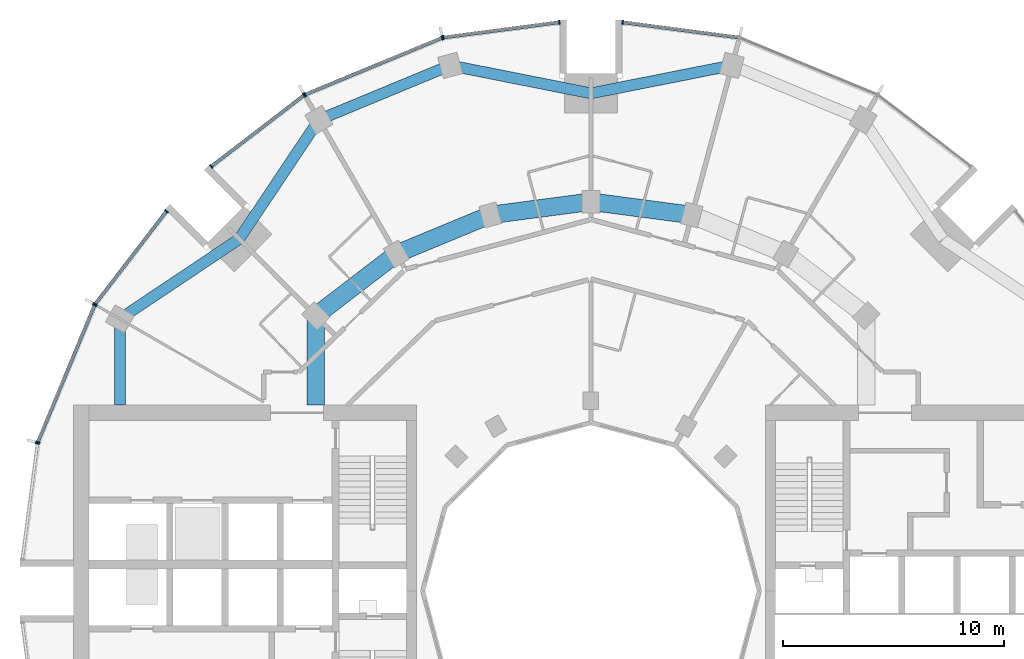
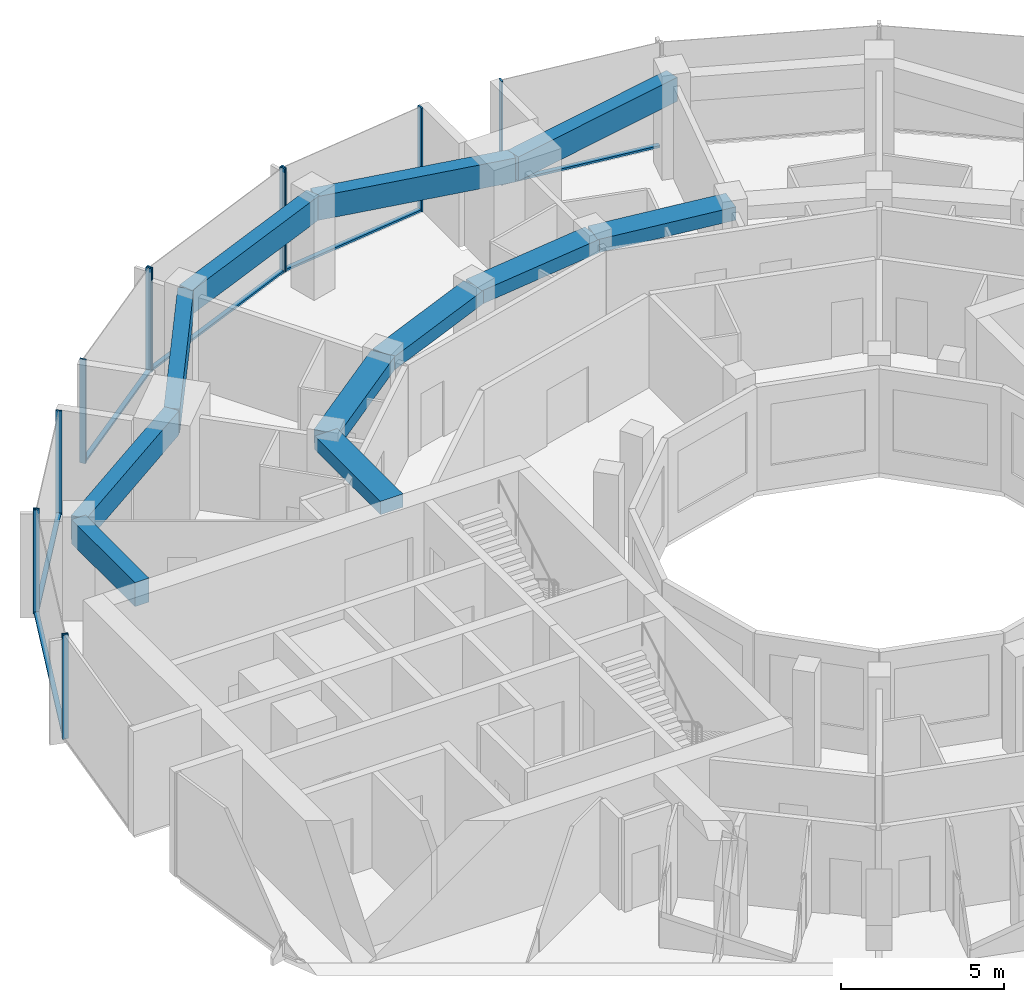
# One storey, part 5 of 15: 18 members, 11 beams, 7 elements without a shape of their own.
"""IFC4 building model written with IfcOpenShell, lengths in metres."""

from ifc_helpers import new_model, si_unit, direction, frame, origin, origin_2d, place, context, subcontext, project, spatial, rectangle, extrude, material, layer, layer_set, material_profile, profile_set, type_object, element, aggregate, save


model = new_model("IFC4")

# Units and contexts
model_context = context("Model", 3, precision=1e-05, world=origin(), true_north=direction((0.0, 1.0)))
body_context = subcontext(model_context, "Body", "Model", "MODEL_VIEW")
ifc_project = project(units=[si_unit("LENGTHUNIT", "METRE"), si_unit("AREAUNIT", "SQUARE_METRE"), si_unit("VOLUMEUNIT", "CUBIC_METRE"), si_unit("PLANEANGLEUNIT", "RADIAN"), si_unit("MASSUNIT", "GRAM", prefix="KILO")], contexts=[model_context])

# Site, building, storey
site_placement = place(None, origin())
site = spatial("IfcSite", under=ifc_project, at=site_placement, CompositionType="ELEMENT")
building_placement = place(site_placement, origin())
building = spatial("IfcBuilding", under=site, at=building_placement, Name="Torre Brocal", CompositionType="ELEMENT")
storey_placement = place(building_placement, frame((0.0, 0.0, 122.39990234375)))
storey = spatial("IfcBuildingStorey", under=building, at=storey_placement, Name="L28", CompositionType="ELEMENT", Elevation=122.39990234375)

# Curtain wall, member
ifc_material_1 = material(Name="Aluminium and glass", Category="aluminium")
ifc_layer_1 = layer(ifc_material_1, 0.199951171875)
ifc_layer_set_1 = layer_set([ifc_layer_1], Name="Aluminium and glass")
curtain_wall_type_1 = type_object("IfcCurtainWallType", Name="CW-1 CURTAIN WALL 3900 HIGH", PredefinedType="NOTDEFINED", material=ifc_layer_set_1)
curtain_wall_1_placement = place(storey_placement, origin())
curtain_wall_1 = element("IfcCurtainWall", 1, at=curtain_wall_1_placement, inside=storey, type_object=curtain_wall_type_1, Name="CW-1 RUN 6", PredefinedType="NOTDEFINED")
ifc_material_2 = material(Name="Aluminium, dark anodised", Category="aluminium")
ifc_material_profile_1 = material_profile(ifc_material_2, rectangle(XDim=0.199951171875, YDim=0.06005859375, at=origin_2d()), Name="CW-1 MULLION 60X200")
ifc_profile_set_1 = profile_set([ifc_material_profile_1], Name="Aluminium, dark anodised")
member_type_1 = type_object("IfcMemberType", Name="CW-1 MULLION 60X200", PredefinedType="MULLION", material=ifc_profile_set_1)
member_1_placement = place(storey_placement, frame((81.4296875, 100.7109375, 0.0), z_axis=(0.0, 0.0, 1.0), x_axis=(-0.13052619222, -0.991444861374, 0.0)))
member_1 = element("IfcMember", 2, at=member_1_placement, type_object=member_type_1, Name="CW1-3 mullion 2", PredefinedType="MULLION", context=body_context, shape_type="SweptSolid", body=[
    extrude(rectangle(XDim=0.199951171875, YDim=0.06005859375, at=origin_2d()), origin(), (0.0, 0.0, 1.0), 3.900146484375),
])

# Curtain wall, members
curtain_wall_2_placement = place(storey_placement, origin())
curtain_wall_2 = element("IfcCurtainWall", 3, at=curtain_wall_2_placement, inside=storey, type_object=curtain_wall_type_1, Name="CW-1 RUN 7", PredefinedType="NOTDEFINED")
member_2_placement = place(storey_placement, frame((78.5703125, 100.7109375, 0.0), z_axis=(0.0, 0.0, 1.0), x_axis=(0.13052619222, -0.991444861374, 0.0)))
member_2 = element("IfcMember", 4, at=member_2_placement, type_object=member_type_1, Name="CW1-3 mullion 1", PredefinedType="MULLION", context=body_context, shape_type="SweptSolid", body=[
    extrude(rectangle(XDim=0.199951171875, YDim=0.06005859375, at=origin_2d()), origin(), (0.0, 0.0, 1.0), 3.900146484375),
])
member_3_placement = place(storey_placement, frame((73.32666015625, 100.0205078125, 0.0), z_axis=(0.0, 0.0, 1.0), x_axis=(0.13052619222, -0.991444861374, 0.0)))
member_3 = element("IfcMember", 5, at=member_3_placement, type_object=member_type_1, Name="CW1-3 mullion 2", PredefinedType="MULLION", context=body_context, shape_type="SweptSolid", body=[
    extrude(rectangle(XDim=0.199951171875, YDim=0.06005859375, at=origin_2d()), origin(), (0.0, 0.0, 1.0), 3.900146484375),
])

curtain_wall_3_placement = place(storey_placement, origin())
curtain_wall_3 = element("IfcCurtainWall", 6, at=curtain_wall_3_placement, inside=storey, type_object=curtain_wall_type_1, Name="CW-1 RUN 8", PredefinedType="NOTDEFINED")
member_4_placement = place(storey_placement, frame((73.26904296875, 100.005126953125, 0.0), z_axis=(0.0, 0.0, 1.0), x_axis=(0.382683432333, -0.923879532525, 0.0)))
member_4 = element("IfcMember", 7, at=member_4_placement, type_object=member_type_1, Name="CW1-3 mullion 1", PredefinedType="MULLION", context=body_context, shape_type="SweptSolid", body=[
    extrude(rectangle(XDim=0.199951171875, YDim=0.06005859375, at=origin_2d()), origin(), (0.0, 0.0, 1.0), 3.900146484375),
])
member_5_placement = place(storey_placement, frame((67.078125, 97.440673828125, 0.0), z_axis=(0.0, 0.0, 1.0), x_axis=(0.382683432333, -0.923879532525, 0.0)))
member_5 = element("IfcMember", 8, at=member_5_placement, type_object=member_type_1, Name="CW1-3 mullion 2", PredefinedType="MULLION", context=body_context, shape_type="SweptSolid", body=[
    extrude(rectangle(XDim=0.199951171875, YDim=0.06005859375, at=origin_2d()), origin(), (0.0, 0.0, 1.0), 3.900146484375),
])

curtain_wall_4_placement = place(storey_placement, origin())
curtain_wall_4 = element("IfcCurtainWall", 9, at=curtain_wall_4_placement, inside=storey, type_object=curtain_wall_type_1, Name="CW-1 RUN 9", PredefinedType="NOTDEFINED")
member_6_placement = place(storey_placement, frame((67.026611328125, 97.4111328125, 0.0), z_axis=(0.0, 0.0, 1.0), x_axis=(0.60876142905, -0.793353340259, 0.0)))
member_6 = element("IfcMember", 10, at=member_6_placement, type_object=member_type_1, Name="CW1-3 mullion 1", PredefinedType="MULLION", context=body_context, shape_type="SweptSolid", body=[
    extrude(rectangle(XDim=0.199951171875, YDim=0.06005859375, at=origin_2d()), origin(), (0.0, 0.0, 1.0), 3.900146484375),
])
member_7_placement = place(storey_placement, frame((62.83056640625, 94.19140625, 0.0), z_axis=(0.0, 0.0, 1.0), x_axis=(0.60876142905, -0.793353340259, 0.0)))
member_7 = element("IfcMember", 11, at=member_7_placement, type_object=member_type_1, Name="CW1-3 mullion 2", PredefinedType="MULLION", context=body_context, shape_type="SweptSolid", body=[
    extrude(rectangle(XDim=0.199951171875, YDim=0.06005859375, at=origin_2d()), origin(), (0.0, 0.0, 1.0), 3.900146484375),
])

curtain_wall_5_placement = place(storey_placement, origin())
curtain_wall_5 = element("IfcCurtainWall", 12, at=curtain_wall_5_placement, inside=storey, type_object=curtain_wall_type_1, Name="CW-1 RUN 10", PredefinedType="NOTDEFINED")
member_8_placement = place(storey_placement, frame((60.80859375, 92.16943359375, 0.0), z_axis=(0.0, 0.0, 1.0), x_axis=(0.793353340259, -0.60876142905, 0.0)))
member_8 = element("IfcMember", 13, at=member_8_placement, type_object=member_type_1, Name="CW1-3 mullion 1", PredefinedType="MULLION", context=body_context, shape_type="SweptSolid", body=[
    extrude(rectangle(XDim=0.199951171875, YDim=0.06005859375, at=origin_2d()), origin(), (0.0, 0.0, 1.0), 3.900146484375),
])
member_9_placement = place(storey_placement, frame((57.5888671875, 87.973388671875, 0.0), z_axis=(0.0, 0.0, 1.0), x_axis=(0.793353340259, -0.60876142905, 0.0)))
member_9 = element("IfcMember", 14, at=member_9_placement, type_object=member_type_1, Name="CW1-3 mullion 2", PredefinedType="MULLION", context=body_context, shape_type="SweptSolid", body=[
    extrude(rectangle(XDim=0.199951171875, YDim=0.06005859375, at=origin_2d()), origin(), (0.0, 0.0, 1.0), 3.900146484375),
])

curtain_wall_6_placement = place(storey_placement, origin())
curtain_wall_6 = element("IfcCurtainWall", 15, at=curtain_wall_6_placement, inside=storey, type_object=curtain_wall_type_1, Name="CW-1 RUN 11", PredefinedType="NOTDEFINED")
member_10_placement = place(storey_placement, frame((57.559326171875, 87.921875, 0.0), z_axis=(0.0, 0.0, 1.0), x_axis=(0.923879532525, -0.382683432333, 0.0)))
member_10 = element("IfcMember", 16, at=member_10_placement, type_object=member_type_1, Name="CW1-3 mullion 1", PredefinedType="MULLION", context=body_context, shape_type="SweptSolid", body=[
    extrude(rectangle(XDim=0.199951171875, YDim=0.06005859375, at=origin_2d()), origin(), (0.0, 0.0, 1.0), 3.900146484375),
])
member_11_placement = place(storey_placement, frame((54.994873046875, 81.73095703125, 0.0), z_axis=(0.0, 0.0, 1.0), x_axis=(0.923879532525, -0.382683432333, 0.0)))
member_11 = element("IfcMember", 17, at=member_11_placement, type_object=member_type_1, Name="CW1-3 mullion 2", PredefinedType="MULLION", context=body_context, shape_type="SweptSolid", body=[
    extrude(rectangle(XDim=0.199951171875, YDim=0.06005859375, at=origin_2d()), origin(), (0.0, 0.0, 1.0), 3.900146484375),
])

# Member
ifc_material_3 = material(Name="Aluminium, dark anodised", Category="aluminium")
ifc_material_profile_2 = material_profile(ifc_material_3, rectangle(XDim=0.159912109375, YDim=0.080078125, at=origin_2d()), Name="CW-1 TRANSOM 160X80")
ifc_profile_set_2 = profile_set([ifc_material_profile_2], Name="Aluminium, dark anodised")
member_type_2 = type_object("IfcMemberType", Name="CW-1 TRANSOM 160X80", PredefinedType="USERDEFINED", material=ifc_profile_set_2)
member_12_placement = place(storey_placement, frame((86.643798828125, 100.0244140625, 0.0400390625), z_axis=(-0.991442690863, 0.130542677827, 0.0), x_axis=(-0.130542677827, -0.991442690863, 0.0)))
member_12 = element("IfcMember", 18, at=member_12_placement, type_object=member_type_2, Name="CW1-3 transom 1.1", ObjectType="TRANSOM", PredefinedType="USERDEFINED", context=body_context, shape_type="SweptSolid", body=[
    extrude(rectangle(XDim=0.159912109375, YDim=0.080078125, at=origin_2d()), origin(), (0.0, 0.0, 1.0), 5.22900390625),
])

aggregate(curtain_wall_1, [member_1, member_12])

member_13_placement = place(storey_placement, frame((78.54052734375, 100.70703125, 0.0400390625), z_axis=(-0.991442690863, -0.130542677827, 0.0), x_axis=(0.130542677827, -0.991442690863, 0.0)))
member_13 = element("IfcMember", 19, at=member_13_placement, type_object=member_type_2, Name="CW1-3 transom 1.1", ObjectType="TRANSOM", PredefinedType="USERDEFINED", context=body_context, shape_type="SweptSolid", body=[
    extrude(rectangle(XDim=0.159912109375, YDim=0.080078125, at=origin_2d()), origin(), (0.0, 0.0, 1.0), 5.22900390625),
])

aggregate(curtain_wall_2, [member_2, member_3, member_13])

member_14_placement = place(storey_placement, frame((73.241455078125, 99.99365234375, 0.0400390625), z_axis=(-0.923887344364, -0.38266457234, 0.0), x_axis=(0.38266457234, -0.923887344364, 0.0)))
member_14 = element("IfcMember", 20, at=member_14_placement, type_object=member_type_2, Name="CW1-3 transom 1.1", ObjectType="TRANSOM", PredefinedType="USERDEFINED", context=body_context, shape_type="SweptSolid", body=[
    extrude(rectangle(XDim=0.159912109375, YDim=0.080078125, at=origin_2d()), origin(), (0.0, 0.0, 1.0), 6.640869140625),
])

aggregate(curtain_wall_3, [member_4, member_5, member_14])

member_15_placement = place(storey_placement, frame((67.0029296875, 97.392822265625, 0.0400390625), z_axis=(-0.79336281513, -0.60874908096, 0.0), x_axis=(0.60874908096, -0.79336281513, 0.0)))
member_15 = element("IfcMember", 21, at=member_15_placement, type_object=member_type_2, Name="CW1-3 transom 1.1", ObjectType="TRANSOM", PredefinedType="USERDEFINED", context=body_context, shape_type="SweptSolid", body=[
    extrude(rectangle(XDim=0.159912109375, YDim=0.080078125, at=origin_2d()), origin(), (0.0, 0.0, 1.0), 5.22900390625),
])

aggregate(curtain_wall_4, [member_6, member_7, member_15])

member_16_placement = place(storey_placement, frame((60.790283203125, 92.1455078125, 0.0400390625), z_axis=(-0.60874908096, -0.79336281513, 0.0), x_axis=(0.79336281513, -0.60874908096, 0.0)))
member_16 = element("IfcMember", 22, at=member_16_placement, type_object=member_type_2, Name="CW1-3 transom 1.1", ObjectType="TRANSOM", PredefinedType="USERDEFINED", context=body_context, shape_type="SweptSolid", body=[
    extrude(rectangle(XDim=0.159912109375, YDim=0.080078125, at=origin_2d()), origin(), (0.0, 0.0, 1.0), 5.22900390625),
])

aggregate(curtain_wall_5, [member_8, member_9, member_16])

member_17_placement = place(storey_placement, frame((57.547607421875, 87.89404296875, 0.0400390625), z_axis=(-0.38266457234, -0.923887344364, 0.0), x_axis=(0.923887344364, -0.38266457234, 0.0)))
member_17 = element("IfcMember", 23, at=member_17_placement, type_object=member_type_2, Name="CW1-3 transom 1.1", ObjectType="TRANSOM", PredefinedType="USERDEFINED", context=body_context, shape_type="SweptSolid", body=[
    extrude(rectangle(XDim=0.159912109375, YDim=0.080078125, at=origin_2d()), origin(), (0.0, 0.0, 1.0), 6.640869140625),
])

aggregate(curtain_wall_6, [member_10, member_11, member_17])

# Curtain wall, member
ifc_material_4 = material(Name="Aluminium and glass", Category="aluminium")
ifc_layer_2 = layer(ifc_material_4, 0.199951171875)
ifc_layer_set_2 = layer_set([ifc_layer_2], Name="Aluminium and glass")
curtain_wall_type_2 = type_object("IfcCurtainWallType", Name="CW-1B CURTAIN WALL 3900 HIGH", PredefinedType="NOTDEFINED", material=ifc_layer_set_2)
curtain_wall_7_placement = place(storey_placement, origin())
curtain_wall_7 = element("IfcCurtainWall", 24, at=curtain_wall_7_placement, inside=storey, type_object=curtain_wall_type_2, Name="CW-1B RUN 12", PredefinedType="NOTDEFINED")
ifc_material_5 = material(Name="Aluminium, dark anodised", Category="aluminium")
ifc_material_profile_3 = material_profile(ifc_material_5, rectangle(XDim=0.199951171875, YDim=0.06005859375, at=origin_2d()), Name="CW-1B MULLION 60X200")
ifc_profile_set_3 = profile_set([ifc_material_profile_3], Name="Aluminium, dark anodised")
member_type_3 = type_object("IfcMemberType", Name="CW-1B MULLION 60X200", PredefinedType="MULLION", material=ifc_profile_set_3)
member_18_placement = place(storey_placement, frame((54.9794921875, 81.67333984375, 0.0), z_axis=(0.0, 0.0, 1.0), x_axis=(0.991444861374, -0.13052619222, 0.0)))
member_18 = element("IfcMember", 25, at=member_18_placement, type_object=member_type_3, Name="CW1B-3 mullion 1", PredefinedType="MULLION", context=body_context, shape_type="SweptSolid", body=[
    extrude(rectangle(XDim=0.199951171875, YDim=0.06005859375, at=origin_2d()), origin(), (0.0, 0.0, 1.0), 3.900146484375),
])
aggregate(curtain_wall_7, [member_18])

# Beams
ifc_material_6 = material(Name="Concrete C50", Category="concrete")
ifc_material_profile_4 = material_profile(ifc_material_6, rectangle(XDim=0.800048828125, YDim=0.5, at=origin_2d()), Name="RC 800X500")
ifc_profile_set_4 = profile_set([ifc_material_profile_4], Name="Concrete C50")
beam_type_1 = type_object("IfcBeamType", Name="RC BEAM 800X500 C50 TOP 3580", PredefinedType="BEAM", material=ifc_profile_set_4)
for number, where, z_axis, x_axis, name in (
    (26, (84.55517578125, 92.000244140625, 3.330078125), (-0.991440544449, 0.130558978332, 0.0), (-0.130558978332, -0.991440544449, 0.0), "Beam BT-28"),
    (27, (80.0, 92.60009765625, 3.330078125), (-0.991440544449, -0.130558978332, 0.0), (0.130558978332, -0.991440544449, 0.0), "Beam BT-28"),
):
    element("IfcBeam", number, at=place(storey_placement, frame(where, z_axis=z_axis, x_axis=x_axis)), inside=storey, type_object=beam_type_1, Name=name, PredefinedType="BEAM", context=body_context, shape_type="SweptSolid", body=[
        extrude(rectangle(XDim=0.800048828125, YDim=0.5, at=origin_2d()), origin(), (0.0, 0.0, 1.0), 4.594482421875),
    ])
beam_1_placement = place(storey_placement, frame((75.44482421875, 92.000244140625, 3.330078125), z_axis=(-0.923878240166, -0.382686552348, 0.0), x_axis=(0.382686552348, -0.923878240166, 0.0)))
element("IfcBeam", 28, at=beam_1_placement, inside=storey, type_object=beam_type_1, Name="Beam BT-28", PredefinedType="BEAM", context=body_context, shape_type="SweptSolid", body=[
    extrude(rectangle(XDim=0.800048828125, YDim=0.5, at=origin_2d()), origin(), (0.0, 0.0, 1.0), 4.5947265625),
])
beam_2_placement = place(storey_placement, frame((71.199951171875, 90.241943359375, 3.330078125), z_axis=(-0.793358265959, -0.6087550097, 0.0), x_axis=(0.6087550097, -0.793358265959, 0.0)))
element("IfcBeam", 29, at=beam_2_placement, inside=storey, type_object=beam_type_1, Name="Beam BT-28", PredefinedType="BEAM", context=body_context, shape_type="SweptSolid", body=[
    extrude(rectangle(XDim=0.800048828125, YDim=0.5, at=origin_2d()), origin(), (0.0, 0.0, 1.0), 4.594482421875),
])
beam_3_placement = place(storey_placement, frame((67.554931640625, 87.445068359375, 3.330078125), z_axis=(0.0, -1.0, 0.0), x_axis=(1.0, 0.0, 0.0)))
element("IfcBeam", 30, at=beam_3_placement, inside=storey, type_object=beam_type_1, Name="Beam BT-28", PredefinedType="BEAM", context=body_context, shape_type="SweptSolid", body=[
    extrude(rectangle(XDim=0.800048828125, YDim=0.5, at=origin_2d()), origin(), (0.0, 0.0, 1.0), 4.045166015625),
])
ifc_material_7 = material(Name="Concrete C50", Category="concrete")
ifc_material_profile_5 = material_profile(ifc_material_7, rectangle(XDim=0.5, YDim=0.89990234375, at=origin_2d()), Name="RC 500X900")
ifc_profile_set_5 = profile_set([ifc_material_profile_5], Name="Concrete C50")
beam_type_2 = type_object("IfcBeamType", Name="RC SPANDREL BEAM 500X900 C50 TOP 3580", PredefinedType="SPANDREL", material=ifc_profile_set_5)
for number, where, z_axis, x_axis, name in (
    (31, (86.366943359375, 98.76171875, 3.130126953125), (-0.980924907484, -0.194387051723, 0.0), (0.194387051723, -0.980924907484, 0.0), "Beam BT-29"),
    (32, (80.0, 97.5, 3.130126953125), (-0.980924907484, 0.194387051723, 0.0), (-0.194387051723, -0.980924907484, 0.0), "Beam BT-29"),
):
    element("IfcBeam", number, at=place(storey_placement, frame(where, z_axis=z_axis, x_axis=x_axis)), inside=storey, type_object=beam_type_2, Name=name, PredefinedType="SPANDREL", context=body_context, shape_type="SweptSolid", body=[
        extrude(rectangle(XDim=0.5, YDim=0.89990234375, at=origin_2d()), origin(), (0.0, 0.0, 1.0), 6.49072265625),
    ])
beam_4_placement = place(storey_placement, frame((73.633056640625, 98.76171875, 3.130126953125), z_axis=(-0.923882462513, -0.382676358639, 0.0), x_axis=(0.382676358639, -0.923882462513, 0.0)))
element("IfcBeam", 33, at=beam_4_placement, inside=storey, type_object=beam_type_2, Name="Beam BT-29", PredefinedType="SPANDREL", context=body_context, shape_type="SweptSolid", body=[
    extrude(rectangle(XDim=0.5, YDim=0.89990234375, at=origin_2d()), origin(), (0.0, 0.0, 1.0), 6.421875),
])
for number, where, z_axis, x_axis, name in (
    (34, (67.699951171875, 96.30419921875, 3.130126953125), (-0.556157602282, -0.831076844476, 0.0), (0.831076844476, -0.556157602282, 0.0), "Beam BT-29"),
    (35, (64.090087890625, 90.909912109375, 3.130126953125), (-0.831076844476, -0.556157602282, 0.0), (0.556157602282, -0.831076844476, 0.0), "Beam BT-29"),
):
    element("IfcBeam", number, at=place(storey_placement, frame(where, z_axis=z_axis, x_axis=x_axis)), inside=storey, type_object=beam_type_2, Name=name, PredefinedType="SPANDREL", context=body_context, shape_type="SweptSolid", body=[
        extrude(rectangle(XDim=0.5, YDim=0.89990234375, at=origin_2d()), origin(), (0.0, 0.0, 1.0), 6.49072265625),
    ])
beam_5_placement = place(storey_placement, frame((58.69580078125, 87.300048828125, 3.130126953125), z_axis=(0.0, -1.0, 0.0), x_axis=(1.0, 0.0, 0.0)))
element("IfcBeam", 36, at=beam_5_placement, inside=storey, type_object=beam_type_2, Name="Beam BT-29", PredefinedType="SPANDREL", context=body_context, shape_type="SweptSolid", body=[
    extrude(rectangle(XDim=0.5, YDim=0.89990234375, at=origin_2d()), origin(), (0.0, 0.0, 1.0), 3.900146484375),
])

save(model, "model.ifc")
